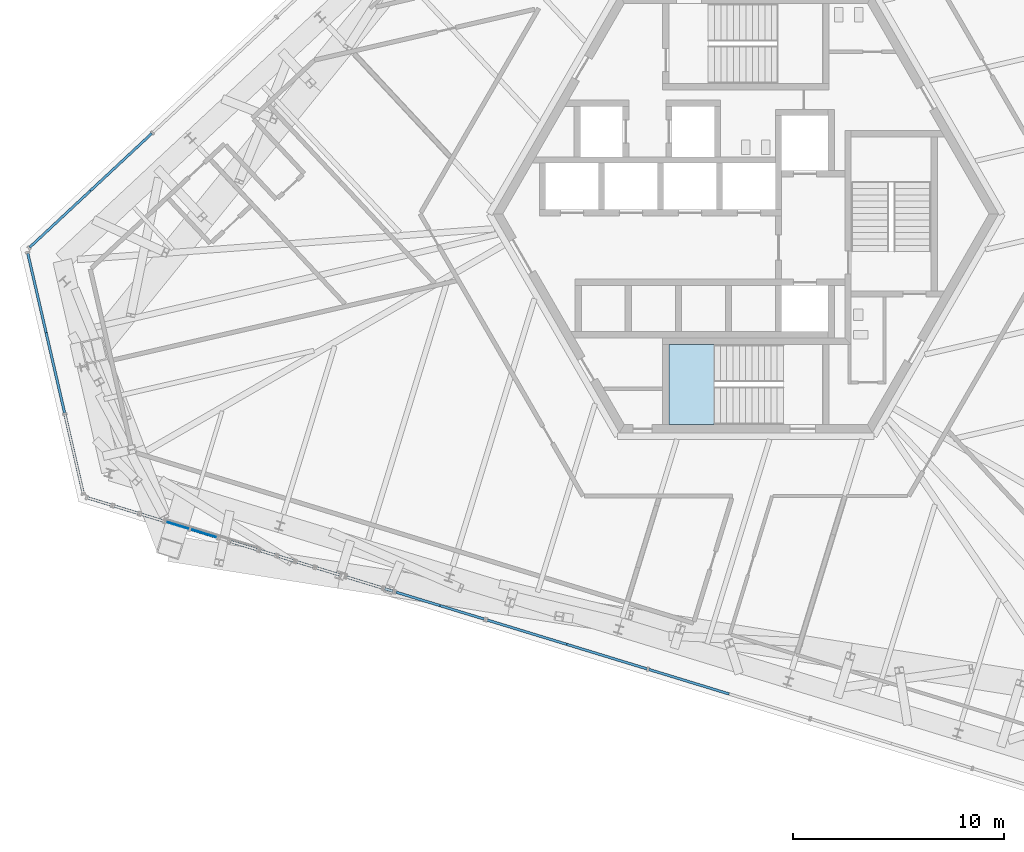
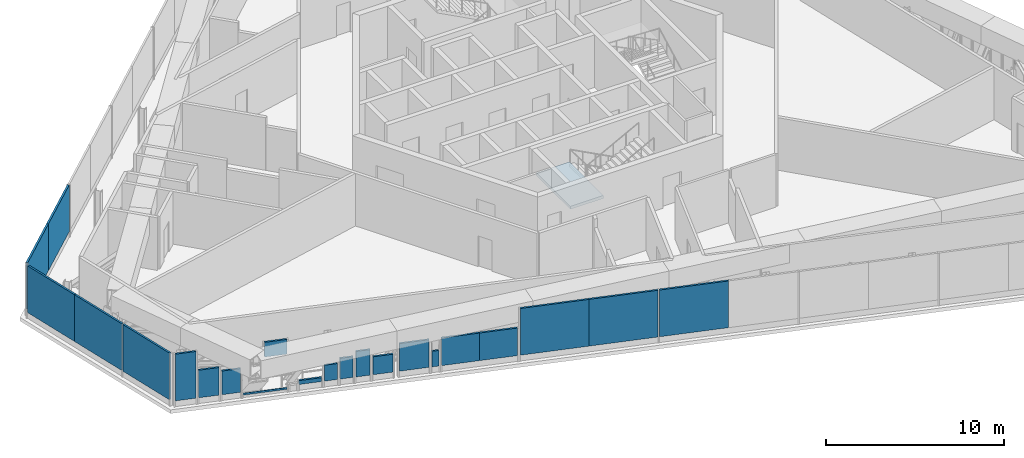
# One storey, part 14 of 31: 22 plates, 1 slab, 17 elements without a shape of their own.
"""IFC4 building model written with IfcOpenShell, lengths in metres."""

from ifc_helpers import new_model, si_unit, direction, frame, origin, origin_2d, place, context, subcontext, project, spatial, polyline, rectangle, outline, extrude, source, transform, mapped, material, layer, layer_set, type_object, element, aggregate, save


model = new_model("IFC4")

# Units and contexts
model_context = context("Model", 3, precision=1e-05, world=origin(), true_north=direction((0.0, 1.0)))
body_context = subcontext(model_context, "Body", "Model", "MODEL_VIEW")
ifc_project = project(units=[si_unit("LENGTHUNIT", "METRE"), si_unit("AREAUNIT", "SQUARE_METRE"), si_unit("VOLUMEUNIT", "CUBIC_METRE"), si_unit("PLANEANGLEUNIT", "RADIAN"), si_unit("MASSUNIT", "GRAM", prefix="KILO")], contexts=[model_context])

# Site, building, storey
site_placement = place(None, origin())
site = spatial("IfcSite", under=ifc_project, at=site_placement, CompositionType="ELEMENT")
building_placement = place(site_placement, origin())
building = spatial("IfcBuilding", under=site, at=building_placement, Name="Triune Harvest Tower", CompositionType="ELEMENT")
storey_placement = place(building_placement, frame((0.0, 0.0, 134.300048828125)))
storey = spatial("IfcBuildingStorey", under=building, at=storey_placement, Name="L34", CompositionType="ELEMENT", Elevation=134.300048828125)

# Curtain wall, plate
ifc_material_1 = material(Name="Aluminium bronze anodised", Category="aluminium")
curtain_wall_type_1 = type_object("IfcCurtainWallType", Name="CW-5 Plant louvre wall", PredefinedType="NOTDEFINED", material=ifc_material_1)
curtain_wall_1_placement = place(storey_placement, origin())
curtain_wall_1 = element("IfcCurtainWall", 1, at=curtain_wall_1_placement, inside=storey, type_object=curtain_wall_type_1, Name="CW-5 B3-F5 L34 run 301")
ifc_material_2 = material(Name="Aluminium bronze anodised", Category="aluminium")
ifc_layer_1 = layer(ifc_material_2, 0.1201171875)
ifc_layer_set_1 = layer_set([ifc_layer_1], Name="Aluminium bronze anodised")
plate_type_1 = type_object("IfcPlateType", Name="GL-5 panel 120", PredefinedType="CURTAIN_PANEL", material=ifc_layer_set_1)
plate_1_placement = place(storey_placement, frame((-25.732421875, -15.163330078125, 2.59423828125), z_axis=(0.0, 0.0, 1.0), x_axis=(0.956306489563, -0.292366034314, 0.0)))
plate_1 = element("IfcPlate", 2, at=plate_1_placement, type_object=plate_type_1, Name="CW-5 panel B3-F5 301.1", PredefinedType="CURTAIN_PANEL", context=body_context, shape_type="SweptSolid", body=[
    extrude(rectangle(XDim=1.286865234375, YDim=0.1201171875, at=origin_2d()), origin(), (0.0, 0.0, 1.0), 1.005615234375),
])
aggregate(curtain_wall_1, [plate_1])

curtain_wall_2_placement = place(storey_placement, origin())
curtain_wall_2 = element("IfcCurtainWall", 3, at=curtain_wall_2_placement, inside=storey, type_object=curtain_wall_type_1, Name="CW-5 B3-F5 L34 run 601")
plate_2_placement = place(storey_placement, frame((-23.82666015625, -15.745849609375, 0.39990234375), z_axis=(0.0, 0.0, 1.0), x_axis=(0.956297802913, -0.292394446157, 0.0)))
plate_2 = element("IfcPlate", 4, at=plate_2_placement, type_object=plate_type_1, Name="CW-5 panel B3-F5 601.1", PredefinedType="CURTAIN_PANEL", context=body_context, shape_type="SweptSolid", body=[
    extrude(rectangle(XDim=1.298583984375, YDim=0.1201171875, at=origin_2d()), origin(), (0.0, 0.0, 1.0), 0.267822265625),
])
aggregate(curtain_wall_2, [plate_2])

curtain_wall_3_placement = place(storey_placement, origin())
curtain_wall_3 = element("IfcCurtainWall", 5, at=curtain_wall_3_placement, inside=storey, type_object=curtain_wall_type_1, Name="CW-5 B3-F5 L34 run 701")
plate_3_placement = place(storey_placement, frame((-22.695556640625, -16.091796875, 0.39990234375), z_axis=(0.0, 0.0, 1.0), x_axis=(0.956313896484, -0.292341805754, 0.0)))
plate_3 = element("IfcPlate", 6, at=plate_3_placement, type_object=plate_type_1, Name="CW-5 panel B3-F5 701.1", PredefinedType="CURTAIN_PANEL", context=body_context, shape_type="SweptSolid", body=[
    extrude(rectangle(XDim=0.746826171875, YDim=0.1201171875, at=origin_2d()), origin(), (0.0, 0.0, 1.0), 1.087646484375),
])
aggregate(curtain_wall_3, [plate_3])

curtain_wall_4_placement = place(storey_placement, origin())
curtain_wall_4 = element("IfcCurtainWall", 7, at=curtain_wall_4_placement, inside=storey, type_object=curtain_wall_type_1, Name="CW-5 B3-F5 L34 run 801")
plate_4_placement = place(storey_placement, frame((-21.828369140625, -16.35693359375, 0.39990234375), z_axis=(0.0, 0.0, 1.0), x_axis=(0.956283062223, -0.292442652337, 0.0)))
plate_4 = element("IfcPlate", 8, at=plate_4_placement, type_object=plate_type_1, Name="CW-5 panel B3-F5 801.1", PredefinedType="CURTAIN_PANEL", context=body_context, shape_type="SweptSolid", body=[
    extrude(rectangle(XDim=0.746826171875, YDim=0.1201171875, at=origin_2d()), origin(), (0.0, 0.0, 1.0), 1.417236328125),
])
aggregate(curtain_wall_4, [plate_4])

curtain_wall_5_placement = place(storey_placement, origin())
curtain_wall_5 = element("IfcCurtainWall", 9, at=curtain_wall_5_placement, inside=storey, type_object=curtain_wall_type_1, Name="CW-5 B3-F5 L34 run 1001")
plate_5_placement = place(storey_placement, frame((-19.8271484375, -16.96875, 0.39990234375), z_axis=(0.0, 0.0, 1.0), x_axis=(0.956307381958, -0.292363115343, 0.0)))
plate_5 = element("IfcPlate", 10, at=plate_5_placement, type_object=plate_type_1, Name="CW-5 panel B3-F5 1001.1", PredefinedType="CURTAIN_PANEL", context=body_context, shape_type="SweptSolid", body=[
    extrude(rectangle(XDim=1.157958984375, YDim=0.1201171875, at=origin_2d()), origin(), (0.0, 0.0, 1.0), 1.225341796875),
])
aggregate(curtain_wall_5, [plate_5])

curtain_wall_6_placement = place(storey_placement, origin())
curtain_wall_6 = element("IfcCurtainWall", 11, at=curtain_wall_6_placement, inside=storey, type_object=curtain_wall_type_1, Name="CW-5 B3-F5 L34 run 1101")
plate_6_placement = place(storey_placement, frame((-18.111083984375, -17.493408203125, 0.39990234375), z_axis=(0.0, 0.0, 1.0), x_axis=(0.956300870641, -0.292384412737, 0.0)))
plate_6 = element("IfcPlate", 12, at=plate_6_placement, type_object=plate_type_1, Name="CW-5 panel B3-F5 1101.1", PredefinedType="CURTAIN_PANEL", context=body_context, shape_type="SweptSolid", body=[
    extrude(rectangle(XDim=1.723876953125, YDim=0.1201171875, at=origin_2d()), origin(), (0.0, 0.0, 1.0), 1.889892578125),
])
aggregate(curtain_wall_6, [plate_6])

curtain_wall_7_placement = place(storey_placement, origin())
curtain_wall_7 = element("IfcCurtainWall", 13, at=curtain_wall_7_placement, inside=storey, type_object=curtain_wall_type_1, Name="CW-5 B3-F5 L34 run 1201")
plate_7_placement = place(storey_placement, frame((-16.945556640625, -17.849853515625, 0.39990234375), z_axis=(0.0, 0.0, 1.0), x_axis=(0.956296876108, -0.292397477326, 0.0)))
plate_7 = element("IfcPlate", 14, at=plate_7_placement, type_object=plate_type_1, Name="CW-5 panel B3-F5 1201.1", PredefinedType="CURTAIN_PANEL", context=body_context, shape_type="SweptSolid", body=[
    extrude(rectangle(XDim=0.393798828125, YDim=0.1201171875, at=origin_2d()), origin(), (0.0, 0.0, 1.0), 1.06689453125),
])
aggregate(curtain_wall_7, [plate_7])

# Stair, slab
ifc_material_3 = material(Name="Concrete 40 MPa", Category="concrete")
stair_type = type_object("IfcStairType", Name="Exit stair 1800 half turn", PredefinedType="HALF_TURN_STAIR", material=ifc_material_3)
stair_placement = place(storey_placement, origin())
stair = element("IfcStair", 15, at=stair_placement, inside=storey, type_object=stair_type, Name="Exit stair south", PredefinedType="HALF_TURN_STAIR")
ifc_material_4 = material(Name="Concrete 40 MPa", Category="concrete")
ifc_layer_2 = layer(ifc_material_4, 0.199951171875)
ifc_layer_set_2 = layer_set([ifc_layer_2], Name="Concrete 40 MPa")
slab_type = type_object("IfcSlabType", Name="Stair landing 200", PredefinedType="LANDING", material=ifc_layer_set_2)
shared_shape_1 = source(origin(), body_context, "Body", "SweptSolid", [
    extrude(outline(polyline([(-1.510009765625, -6.18994140625), (-3.64990234375, -6.18994140625), (-3.64990234375, -9.989990234375), (-1.510009765625, -9.989990234375), (-1.510009765625, -6.18994140625)])), origin(), (0.0, 0.0, 1.0), 0.199951171875),
])
slab_placement = place(storey_placement, frame((0.0, 0.0, 1.699951171875)))
slab = element("IfcSlab", 16, at=slab_placement, type_object=slab_type, Name="ST-2 landing 2", PredefinedType="LANDING", context=body_context, shape_type="MappedRepresentation", body=[
    mapped(shared_shape_1, transform((0.0, 0.0, 0.0), scale=1.0)),
])
aggregate(stair, [slab])

# Curtain wall, plate
curtain_wall_8_placement = place(storey_placement, origin())
curtain_wall_8 = element("IfcCurtainWall", 17, at=curtain_wall_8_placement, inside=storey, type_object=curtain_wall_type_1, Name="CW-5 B3-F5 L34 run 1")
shared_shape_2 = source(origin(), body_context, "Body", "SweptSolid", [
    extrude(rectangle(XDim=1.175537109375, YDim=0.1201171875, at=origin_2d()), origin(), (0.0, 0.0, 1.0), 3.199951171875),
])
plate_8_placement = place(storey_placement, frame((-30.693359375, -13.646484375, 0.39990234375), z_axis=(0.0, 0.0, 1.0), x_axis=(0.956294005257, -0.292406866385, 0.0)))
plate_8 = element("IfcPlate", 18, at=plate_8_placement, type_object=plate_type_1, Name="CW-5 panel B3-F5 1.1", PredefinedType="CURTAIN_PANEL", context=body_context, shape_type="MappedRepresentation", body=[
    mapped(shared_shape_2, transform((0.0, 0.0, 0.0), scale=1.0)),
])
aggregate(curtain_wall_8, [plate_8])

curtain_wall_9_placement = place(storey_placement, origin())
curtain_wall_9 = element("IfcCurtainWall", 19, at=curtain_wall_9_placement, inside=storey, type_object=curtain_wall_type_1, Name="CW-5 B3-F5 L34 run 101")
shared_shape_3 = source(origin(), body_context, "Body", "SweptSolid", [
    extrude(rectangle(XDim=1.175537109375, YDim=0.1201171875, at=origin_2d()), origin(), (0.0, 0.0, 1.0), 1.889892578125),
])
plate_9_placement = place(storey_placement, frame((-29.416259765625, -14.037109375, 0.39990234375), z_axis=(0.0, 0.0, 1.0), x_axis=(0.956314941761, -0.292338386403, 0.0)))
plate_9 = element("IfcPlate", 20, at=plate_9_placement, type_object=plate_type_1, Name="CW-5 panel B3-F5 101.1", PredefinedType="CURTAIN_PANEL", context=body_context, shape_type="MappedRepresentation", body=[
    mapped(shared_shape_3, transform((0.0, 0.0, 0.0), scale=1.0)),
])
aggregate(curtain_wall_9, [plate_9])

curtain_wall_10_placement = place(storey_placement, origin())
curtain_wall_10 = element("IfcCurtainWall", 21, at=curtain_wall_10_placement, inside=storey, type_object=curtain_wall_type_1, Name="CW-5 B3-F5 L34 run 201")
shared_shape_4 = source(origin(), body_context, "Body", "SweptSolid", [
    extrude(rectangle(XDim=1.0810546875, YDim=0.1201171875, at=origin_2d()), origin(), (0.0, 0.0, 1.0), 1.622802734375),
])
plate_10_placement = place(storey_placement, frame((-28.184326171875, -14.41357421875, 0.39990234375), z_axis=(0.0, 0.0, 1.0), x_axis=(0.956291501713, -0.292415053906, 0.0)))
plate_10 = element("IfcPlate", 22, at=plate_10_placement, type_object=plate_type_1, Name="CW-5 panel B3-F5 201.1", PredefinedType="CURTAIN_PANEL", context=body_context, shape_type="MappedRepresentation", body=[
    mapped(shared_shape_4, transform((0.0, 0.0, 0.0), scale=1.0)),
])
aggregate(curtain_wall_10, [plate_10])

curtain_wall_11_placement = place(storey_placement, origin())
curtain_wall_11 = element("IfcCurtainWall", 23, at=curtain_wall_11_placement, inside=storey, type_object=curtain_wall_type_1, Name="CW-5 B3-F5 L34 run 901")
shared_shape_5 = source(origin(), body_context, "Body", "SweptSolid", [
    extrude(rectangle(XDim=0.820068359375, YDim=0.1201171875, at=origin_2d()), origin(), (0.0, 0.0, 1.0), 1.74658203125),
])
plate_11_placement = place(storey_placement, frame((-20.926025390625, -16.6328125, 0.39990234375), z_axis=(0.0, 0.0, 1.0), x_axis=(0.956293734957, -0.29240775038, 0.0)))
plate_11 = element("IfcPlate", 24, at=plate_11_placement, type_object=plate_type_1, Name="CW-5 panel B3-F5 901.1", PredefinedType="CURTAIN_PANEL", context=body_context, shape_type="MappedRepresentation", body=[
    mapped(shared_shape_5, transform((0.0, 0.0, 0.0), scale=1.0)),
])
aggregate(curtain_wall_11, [plate_11])

curtain_wall_12_placement = place(storey_placement, origin())
curtain_wall_12 = element("IfcCurtainWall", 25, at=curtain_wall_12_placement, inside=storey, type_object=curtain_wall_type_1, Name="CW-5 B3-F3 L34 run 1601")
shared_shape_6 = source(origin(), body_context, "Body", "SweptSolid", [
    extrude(rectangle(XDim=3.9462890625, YDim=0.1201171875, at=origin_2d()), origin(), (0.0, 0.0, 1.0), 3.199951171875),
])
plate_12_placement = place(storey_placement, frame((-32.55615234375, -0.24462890625, 0.39990234375), z_axis=(0.0, 0.0, 1.0), x_axis=(-0.731353970951, -0.681998071239, 0.0)))
plate_12 = element("IfcPlate", 26, at=plate_12_placement, type_object=plate_type_1, Name="CW-5 panel B3-F3 1601.8", PredefinedType="CURTAIN_PANEL", context=body_context, shape_type="MappedRepresentation", body=[
    mapped(shared_shape_6, transform((0.0, 0.0, 0.0), scale=1.0)),
])

curtain_wall_13_placement = place(storey_placement, origin())
curtain_wall_13 = element("IfcCurtainWall", 27, at=curtain_wall_13_placement, inside=storey, type_object=curtain_wall_type_1, Name="CW-5 B3-F5 L34 run 1401")
plate_13_placement = place(storey_placement, frame((-10.385986328125, -19.855224609375, 0.39990234375), z_axis=(0.0, 0.0, 1.0), x_axis=(0.956304080466, -0.292373914166, 0.0)))
plate_13 = element("IfcPlate", 28, at=plate_13_placement, type_object=plate_type_1, Name="CW-5 panel B3-F5 1401.1", PredefinedType="CURTAIN_PANEL", context=body_context, shape_type="MappedRepresentation", body=[
    mapped(shared_shape_6, transform((0.0, 0.0, 0.0), scale=1.0)),
])

# Plate
shared_shape_7 = source(origin(), body_context, "Body", "SweptSolid", [
    extrude(rectangle(XDim=3.986328125, YDim=0.1201171875, at=origin_2d()), origin(), (0.0, 0.0, 1.0), 3.199951171875),
])
plate_14_placement = place(storey_placement, frame((-29.6552734375, 2.460205078125, 0.39990234375), z_axis=(0.0, 0.0, 1.0), x_axis=(-0.731353970951, -0.681998071239, 0.0)))
plate_14 = element("IfcPlate", 29, at=plate_14_placement, type_object=plate_type_1, Name="CW-5 panel B3-F3 1601.7", PredefinedType="CURTAIN_PANEL", context=body_context, shape_type="MappedRepresentation", body=[
    mapped(shared_shape_7, transform((0.0, 0.0, 0.0), scale=1.0)),
])

aggregate(curtain_wall_12, [plate_14, plate_12])

plate_15_placement = place(storey_placement, frame((-6.593017578125, -21.014892578125, 0.39990234375), z_axis=(0.0, 0.0, 1.0), x_axis=(0.956304080466, -0.292373914166, 0.0)))
plate_15 = element("IfcPlate", 30, at=plate_15_placement, type_object=plate_type_1, Name="CW-5 panel B3-F5 1401.2", PredefinedType="CURTAIN_PANEL", context=body_context, shape_type="MappedRepresentation", body=[
    mapped(shared_shape_7, transform((0.0, 0.0, 0.0), scale=1.0)),
])

plate_16_placement = place(storey_placement, frame((-2.704345703125, -22.20361328125, 0.39990234375), z_axis=(0.0, 0.0, 1.0), x_axis=(0.956304080466, -0.292373914166, 0.0)))
plate_16 = element("IfcPlate", 31, at=plate_16_placement, type_object=plate_type_1, Name="CW-5 panel B3-F5 1401.3", PredefinedType="CURTAIN_PANEL", context=body_context, shape_type="MappedRepresentation", body=[
    mapped(shared_shape_7, transform((0.0, 0.0, 0.0), scale=1.0)),
])

aggregate(curtain_wall_13, [plate_13, plate_15, plate_16])

# Curtain wall, plate
ifc_material_5 = material(Name="Aluminium bronze anodised", Category="aluminium")
curtain_wall_type_2 = type_object("IfcCurtainWallType", Name="CW-6 Balcony window wall", PredefinedType="NOTDEFINED", material=ifc_material_5)
curtain_wall_14_placement = place(storey_placement, origin())
curtain_wall_14 = element("IfcCurtainWall", 32, at=curtain_wall_14_placement, inside=storey, type_object=curtain_wall_type_2, Name="CW-6 B3-F5 L34 run 1501")
ifc_material_6 = material(Name="Glass", Category="glass")
ifc_layer_3 = layer(ifc_material_6, 0.030029296875)
ifc_layer_set_3 = layer_set([ifc_layer_3], Name="Glass")
plate_type_2 = type_object("IfcPlateType", Name="GL-6 panel 30", PredefinedType="CURTAIN_PANEL", material=ifc_layer_set_3)
shared_shape_8 = source(origin(), body_context, "Body", "SweptSolid", [
    extrude(rectangle(XDim=2.516845703125, YDim=0.030029296875, at=origin_2d()), origin(), (0.0, 0.0, 1.0), 0.125244140625),
])
plate_17_placement = place(storey_placement, frame((-26.31591796875, -14.98486328125, 0.14990234375), z_axis=(0.0, 0.0, 1.0), x_axis=(0.956305275656, -0.292370004878, 0.0)))
plate_17 = element("IfcPlate", 33, at=plate_17_placement, type_object=plate_type_2, Name="CW-6 panel B3-F5 1501.1", PredefinedType="CURTAIN_PANEL", context=body_context, shape_type="MappedRepresentation", body=[
    mapped(shared_shape_8, transform((0.0, 0.0, 0.0), scale=1.0)),
])
aggregate(curtain_wall_14, [plate_17])

# Curtain wall, plates
curtain_wall_15_placement = place(storey_placement, origin())
curtain_wall_15 = element("IfcCurtainWall", 34, at=curtain_wall_15_placement, inside=storey, type_object=curtain_wall_type_1, Name="CW-5 B3-F4 L34 run 1")
shared_shape_9 = source(origin(), body_context, "Body", "SweptSolid", [
    extrude(rectangle(XDim=3.868896484375, YDim=0.1201171875, at=origin_2d()), origin(), (0.0, 0.0, 1.0), 3.199951171875),
])
plate_18_placement = place(storey_placement, frame((-33.650146484375, -3.7568359375, 0.39990234375), z_axis=(0.0, 0.0, 1.0), x_axis=(0.224946950683, -0.974371012181, 0.0)))
plate_18 = element("IfcPlate", 35, at=plate_18_placement, type_object=plate_type_1, Name="CW-5 panel B3-F4 1.1", PredefinedType="CURTAIN_PANEL", context=body_context, shape_type="MappedRepresentation", body=[
    mapped(shared_shape_9, transform((0.0, 0.0, 0.0), scale=1.0)),
])
shared_shape_10 = source(origin(), body_context, "Body", "SweptSolid", [
    extrude(rectangle(XDim=3.908935546875, YDim=0.1201171875, at=origin_2d()), origin(), (0.0, 0.0, 1.0), 3.199951171875),
])
plate_19_placement = place(storey_placement, frame((-32.775390625, -7.546142578125, 0.39990234375), z_axis=(0.0, 0.0, 1.0), x_axis=(0.224946950683, -0.974371012181, 0.0)))
plate_19 = element("IfcPlate", 36, at=plate_19_placement, type_object=plate_type_1, Name="CW-5 panel B3-F4 1.2", PredefinedType="CURTAIN_PANEL", context=body_context, shape_type="MappedRepresentation", body=[
    mapped(shared_shape_10, transform((0.0, 0.0, 0.0), scale=1.0)),
])
shared_shape_11 = source(origin(), body_context, "Body", "SweptSolid", [
    extrude(rectangle(XDim=3.828857421875, YDim=0.1201171875, at=origin_2d()), origin(), (0.0, 0.0, 1.0), 3.199951171875),
])
plate_20_placement = place(storey_placement, frame((-31.886962890625, -11.39404296875, 0.39990234375), z_axis=(0.0, 0.0, 1.0), x_axis=(0.224946950683, -0.974371012181, 0.0)))
plate_20 = element("IfcPlate", 37, at=plate_20_placement, type_object=plate_type_1, Name="CW-5 panel B3-F4 1.3", PredefinedType="CURTAIN_PANEL", context=body_context, shape_type="MappedRepresentation", body=[
    mapped(shared_shape_11, transform((0.0, 0.0, 0.0), scale=1.0)),
])
aggregate(curtain_wall_15, [plate_18, plate_19, plate_20])

curtain_wall_16_placement = place(storey_placement, origin())
curtain_wall_16 = element("IfcCurtainWall", 38, at=curtain_wall_16_placement, inside=storey, type_object=curtain_wall_type_1, Name="CW-5 B3-F5 L34 run 1301")
shared_shape_12 = source(origin(), body_context, "Body", "SweptSolid", [
    extrude(rectangle(XDim=2.1845703125, YDim=0.1201171875, at=origin_2d()), origin(), (0.0, 0.0, 1.0), 1.889892578125),
])
plate_21_placement = place(storey_placement, frame((-15.559814453125, -18.2734375, 0.39990234375), z_axis=(0.0, 0.0, 1.0), x_axis=(0.956305453571, -0.292369422941, 0.0)))
plate_21 = element("IfcPlate", 39, at=plate_21_placement, type_object=plate_type_1, Name="CW-5 panel B3-F5 1301.1", PredefinedType="CURTAIN_PANEL", context=body_context, shape_type="MappedRepresentation", body=[
    mapped(shared_shape_12, transform((0.0, 0.0, 0.0), scale=1.0)),
])
plate_22_placement = place(storey_placement, frame((-13.470458984375, -18.912109375, 0.39990234375), z_axis=(0.0, 0.0, 1.0), x_axis=(0.956305453571, -0.292369422941, 0.0)))
plate_22 = element("IfcPlate", 40, at=plate_22_placement, type_object=plate_type_1, Name="CW-5 panel B3-F5 1301.2", PredefinedType="CURTAIN_PANEL", context=body_context, shape_type="MappedRepresentation", body=[
    mapped(shared_shape_12, transform((0.0, 0.0, 0.0), scale=1.0)),
])
aggregate(curtain_wall_16, [plate_21, plate_22])

save(model, "model.ifc")
